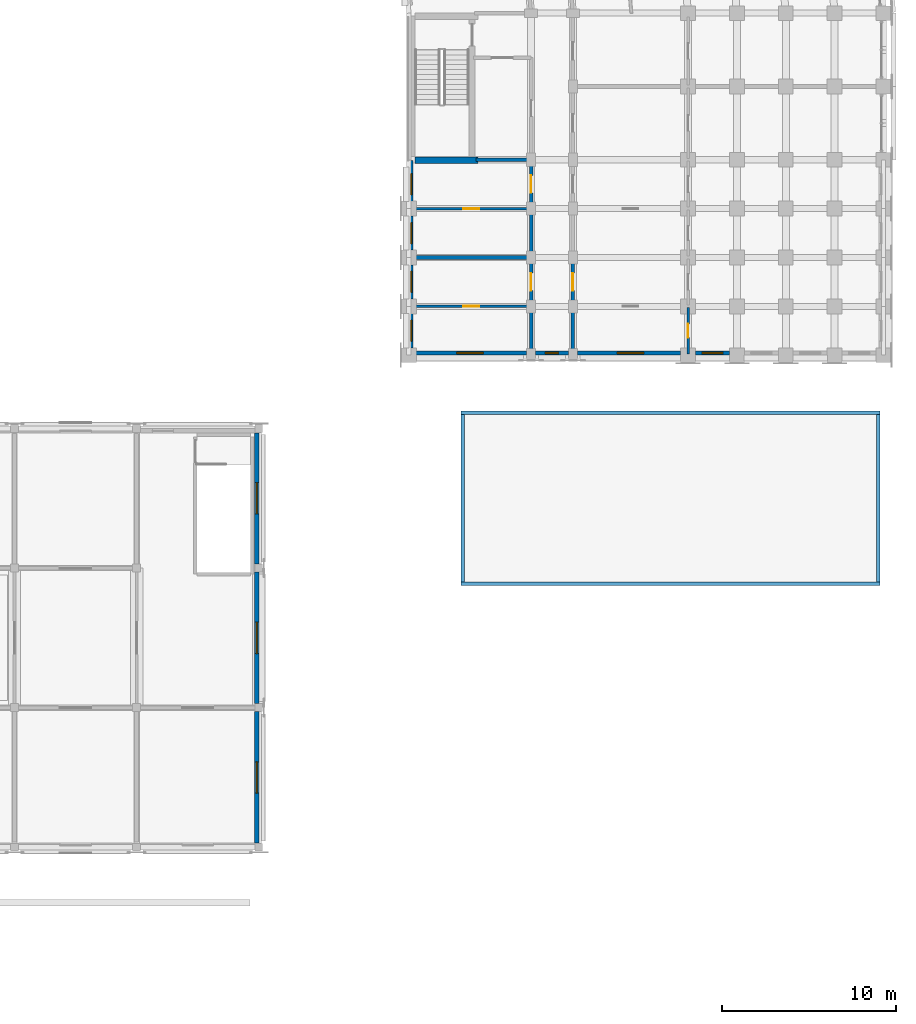
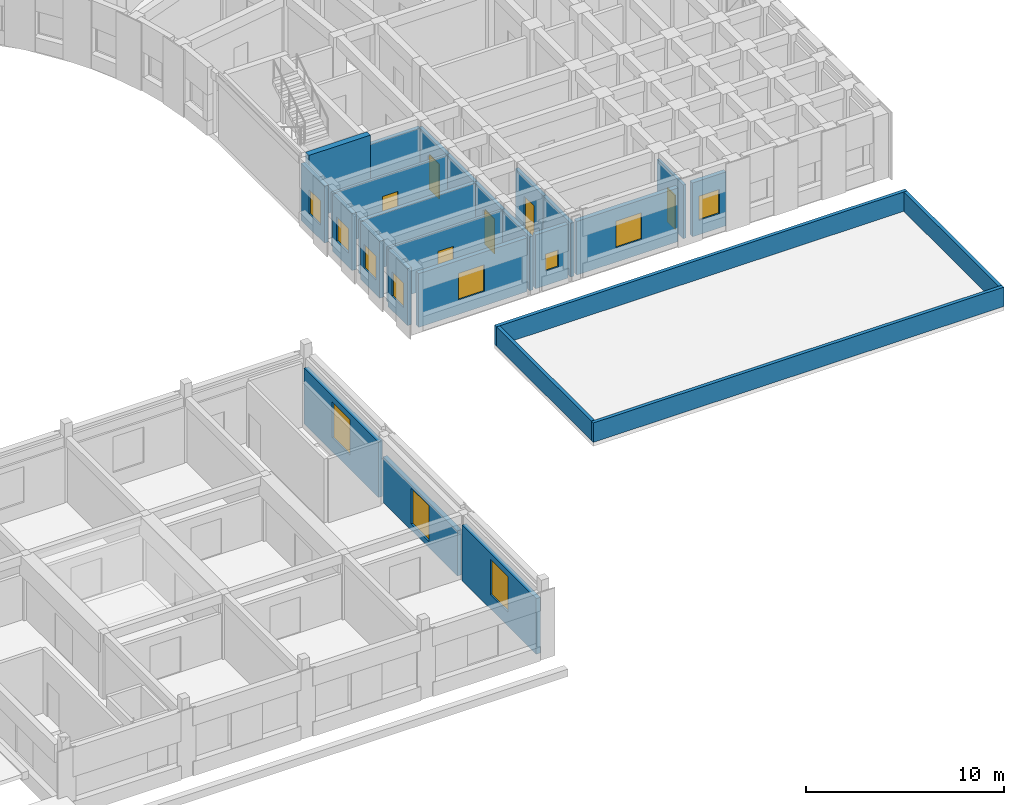
# One storey, part 75 of 97: 27 walls, 11 windows, 6 doors, 17 openings.
"""IFC4 building model written with IfcOpenShell, lengths in metres."""

import ifcopenshell
import ifcopenshell.guid

model = None  # the IFC model being written
_history = None  # IfcOwnerHistory: only IFC2X3 demands one
_inside = {}  # id of a spatial element -> (the spatial element, [elements in it])
_under = {}  # id of a project, library or spatial element -> (it, [spatial elements below it])
_declared = {}  # id of a project -> (the project, [libraries it declares])
_typed = {}  # id of a type object -> (the type object, [elements of that type])
_made_of = {}  # id of a material, layer set ... -> (it, [elements and type objects made of it])


def new_model(schema):
    """Start an empty IFC model of exactly this schema.

    Asked for "IFC4X3", IfcOpenShell would pick the latest addendum, in which some entities
    have other attributes; the version numbers below select the first issue.
    IFC2X3 requires an IfcOwnerHistory on every rooted entity: one is made here for all.
    """
    global model, _history
    if schema == "IFC4X3":
        model = ifcopenshell.file(schema_version=(4, 3, 0, 0))
    else:
        model = ifcopenshell.file(schema=schema)
    _inside.clear()
    _under.clear()
    _declared.clear()
    _typed.clear()
    _made_of.clear()
    _history = None
    if model.schema == "IFC2X3":
        org = make("IfcOrganization", Name="unknown")
        user = make(
            "IfcPersonAndOrganization",
            ThePerson=make("IfcPerson", FamilyName="unknown"),
            TheOrganization=org,
        )
        app = make(
            "IfcApplication",
            ApplicationDeveloper=org,
            Version="unknown",
            ApplicationFullName="unknown",
            ApplicationIdentifier="unknown",
        )
        _history = make(
            "IfcOwnerHistory",
            OwningUser=user,
            OwningApplication=app,
            ChangeAction="ADDED",
            CreationDate=0,
        )
    return model


def make(cls, **values):
    """One entity of the class cls with the attributes given. An attribute that is None is left unset."""
    return model.create_entity(
        cls, **{name: value for name, value in values.items() if value is not None}
    )


def rooted(cls, **values):
    """An entity with a GlobalId (a new one), such as an element, a storey or a relation."""
    return make(cls, GlobalId=ifcopenshell.guid.new(), OwnerHistory=_history, **values)


def si_unit(unit_type, name, prefix=None):
    """IfcSIUnit, for example si_unit("LENGTHUNIT", "METRE", prefix="MILLI")."""
    return make("IfcSIUnit", UnitType=unit_type, Prefix=prefix, Name=name)


def assignment(units):
    """IfcUnitAssignment: the units of a project."""
    return None if units is None else make("IfcUnitAssignment", Units=units)


def point(xyz):
    """IfcCartesianPoint."""
    return None if xyz is None else make("IfcCartesianPoint", Coordinates=xyz)


def direction(xyz):
    """IfcDirection."""
    return None if xyz is None else make("IfcDirection", DirectionRatios=xyz)


def frame(location, z_axis=None, x_axis=None):
    """IfcAxis2Placement3D, a coordinate frame: its origin and axes. An axis left out is left unset."""
    return make(
        "IfcAxis2Placement3D",
        Location=point(location),
        Axis=direction(z_axis),
        RefDirection=direction(x_axis),
    )


def frame_2d(location, x_axis=None):
    """IfcAxis2Placement2D, a coordinate frame in the plane: its origin and x axis."""
    return make(
        "IfcAxis2Placement2D", Location=point(location), RefDirection=direction(x_axis)
    )


def origin():
    """The frame at (0, 0, 0) with its axes left unset."""
    return frame((0.0, 0.0, 0.0))


def place(relative_to, where):
    """IfcLocalPlacement: puts the frame where relative to a parent placement (None: the world)."""
    return make(
        "IfcLocalPlacement", PlacementRelTo=relative_to, RelativePlacement=where
    )


def context(
    kind, dimensions, precision=None, world=None, true_north=None, identifier=None
):
    """IfcGeometricRepresentationContext, for example the 3D "Model" context."""
    return make(
        "IfcGeometricRepresentationContext",
        ContextIdentifier=identifier,
        ContextType=kind,
        CoordinateSpaceDimension=dimensions,
        Precision=precision,
        WorldCoordinateSystem=world,
        TrueNorth=true_north,
    )


def subcontext(parent, identifier, kind, view, scale=None):
    """IfcGeometricRepresentationSubContext, for example "Body" below "Model"."""
    return make(
        "IfcGeometricRepresentationSubContext",
        ContextIdentifier=identifier,
        ContextType=kind,
        ParentContext=parent,
        TargetScale=scale,
        TargetView=view,
    )


def project(units=None, contexts=None):
    """IfcProject with its units and contexts."""
    return rooted(
        "IfcProject",
        Name="project",
        RepresentationContexts=contexts,
        UnitsInContext=assignment(units),
    )


def spatial(cls, under=None, at=None, **own):
    """A site, building, storey or space (cls), placed at a placement, below another one or the project."""
    s = rooted(cls, ObjectPlacement=at, **own)
    if under is not None:
        _under.setdefault(under.id(), (under, []))[1].append(s)
    return s


def profile(cls, at=None, kind="AREA", **sizes):
    """A parametric profile (cls). Its sizes go by their IFC names, for example OverallWidth=200.0."""
    return make(cls, ProfileType=kind, Position=at, **sizes)


def rectangle(**sizes):
    """IfcRectangleProfileDef."""
    return profile("IfcRectangleProfileDef", **sizes)


def extrude(swept, where, along, depth):
    """IfcExtrudedAreaSolid: the profile swept, set in the frame where, extruded along a direction by depth."""
    return make(
        "IfcExtrudedAreaSolid",
        SweptArea=swept,
        Position=where,
        ExtrudedDirection=direction(along),
        Depth=depth,
    )


def shape(context_of_items, identifier, shape_type, items):
    """IfcShapeRepresentation: the items that make up one representation, for example the "Body"."""
    return make(
        "IfcShapeRepresentation",
        ContextOfItems=context_of_items,
        RepresentationIdentifier=identifier,
        RepresentationType=shape_type,
        Items=items,
    )


def material(Name=None, Category=None):
    """IfcMaterial."""
    return make("IfcMaterial", Name=Name, Category=Category)


def layer(
    of_material, thickness, ventilated=None, Name=None, Category=None, Priority=None
):
    """IfcMaterialLayer: one layer of a wall or slab, of a material (None: an air gap)."""
    return make(
        "IfcMaterialLayer",
        Material=of_material,
        LayerThickness=thickness,
        IsVentilated=ventilated,
        Name=Name,
        Category=Category,
        Priority=Priority,
    )


def layer_set(layers, Name=None):
    """IfcMaterialLayerSet."""
    return make("IfcMaterialLayerSet", MaterialLayers=layers, LayerSetName=Name)


def made_of(thing, what):
    """Note that an element or type object is made of a material, layer set ...; save() writes the relation."""
    if what is not None:
        _made_of.setdefault(what.id(), (what, []))[1].append(thing)
    return thing


def type_object(cls, material=None, **own):
    """A type object (cls), such as IfcWallType, which elements share."""
    return made_of(rooted(cls, **own), material)


def element(
    cls,
    number,
    at=None,
    inside=None,
    cuts=None,
    type_object=None,
    material=None,
    context=None,
    identifier="Body",
    shape_type=None,
    held_by="IfcProductDefinitionShape",
    body=None,
    shapes=None,
    **own,
):
    """One element of the class cls, such as IfcWall. Its Tag is "e" and its number.

    at: its placement. inside: the storey or other place that contains it. cuts: it is an
    opening in that element (IfcRelVoidsElement). A single representation is given by context,
    identifier, shape_type and body (its items); several are given by shapes. held_by: the class
    of the entity that holds the representations. save() writes the other relations.
    """
    e = rooted(cls, Tag="e%d" % number, ObjectPlacement=at, **own)
    if body is not None:
        shapes = [shape(context, identifier, shape_type, body)]
    if shapes is not None:
        e.Representation = make(held_by, Representations=shapes)
    if inside is not None:
        _inside.setdefault(inside.id(), (inside, []))[1].append(e)
    if cuts is not None:
        rooted(
            "IfcRelVoidsElement", RelatingBuildingElement=cuts, RelatedOpeningElement=e
        )
    if type_object is not None:
        _typed.setdefault(type_object.id(), (type_object, []))[1].append(e)
    return made_of(e, material)


def fill(opening, filler):
    """IfcRelFillsElement: the door or window that sits in an opening."""
    return rooted(
        "IfcRelFillsElement",
        RelatingOpeningElement=opening,
        RelatedBuildingElement=filler,
    )


def aggregate(whole, parts):
    """IfcRelAggregates: a whole, such as a stair, and the parts it consists of."""
    return rooted("IfcRelAggregates", RelatingObject=whole, RelatedObjects=parts)


def save(model, path):
    """Write the relations noted so far, then the file.

    IfcRelAggregates (storeys below a building ...), IfcRelContainedInSpatialStructure (elements
    in a storey), IfcRelDefinesByType, IfcRelAssociatesMaterial and IfcRelDeclares: one each for
    every whole, place, type object, material and project.
    """
    for whole, parts in _under.values():
        aggregate(whole, parts)
    for where, things in _inside.values():
        rooted(
            "IfcRelContainedInSpatialStructure",
            RelatedElements=things,
            RelatingStructure=where,
        )
    for kind, things in _typed.values():
        rooted("IfcRelDefinesByType", RelatedObjects=things, RelatingType=kind)
    for what, things in _made_of.values():
        rooted("IfcRelAssociatesMaterial", RelatedObjects=things, RelatingMaterial=what)
    for by, libraries in _declared.values():
        rooted("IfcRelDeclares", RelatingContext=by, RelatedDefinitions=libraries)
    model.write(path)


model = new_model("IFC4")

# Units and contexts
model_context = context("Model", 3, precision=1e-05, world=origin(), true_north=direction((0.0, 1.0)))
body_context = subcontext(model_context, "Body", "Model", "MODEL_VIEW")
ifc_project = project(units=[si_unit("LENGTHUNIT", "METRE"), si_unit("AREAUNIT", "SQUARE_METRE"), si_unit("VOLUMEUNIT", "CUBIC_METRE"), si_unit("PLANEANGLEUNIT", "RADIAN"), si_unit("MASSUNIT", "GRAM", prefix="KILO")], contexts=[model_context])

# Site, building, storey
site_placement = place(None, origin())
site = spatial("IfcSite", under=ifc_project, at=site_placement, CompositionType="ELEMENT")
building_placement = place(site_placement, origin())
building = spatial("IfcBuilding", under=site, at=building_placement, Name="Kiranvali Square Residences", CompositionType="ELEMENT")
storey_placement = place(building_placement, frame((0.0, 0.0, 4.5)))
storey = spatial("IfcBuildingStorey", under=building, at=storey_placement, Name="L01", CompositionType="ELEMENT", Elevation=4.5)

# Wall, opening, door
ifc_material_1 = material(Name="Autoclaved aerated concrete blockwork masonry", Category="masonry")
ifc_layer_1 = layer(ifc_material_1, 0.199951171875)
ifc_layer_set_1 = layer_set([ifc_layer_1], Name="Autoclaved aerated concrete blockwork masonry")
wall_type_1 = type_object("IfcWallType", Name="WL-COR-200", PredefinedType="STANDARD", material=ifc_layer_set_1)
wall_1_placement = place(storey_placement, frame((145.60009765625, 79.39990234375, 0.0), z_axis=(0.0, 0.0, 1.0), x_axis=(0.0, -1.0, 0.0)))
wall_1 = element("IfcWall", 1, at=wall_1_placement, inside=storey, type_object=wall_type_1, Name="L01 architectural wall WL-L01-B-A2CI-0", PredefinedType="STANDARD", context=body_context, shape_type="SweptSolid", body=[
    extrude(rectangle(XDim=2.7998046875, YDim=0.199951171875, at=frame_2d((1.39990234375, 0.0))), origin(), (0.0, 0.0, 1.0), 3.322021484375),
])
opening_1_placement = place(wall_1_placement, frame((0.89990234375, 0.0, 0.0)))
opening_1 = element("IfcOpeningElement", 2, at=opening_1_placement, cuts=wall_1, Name="Opening FD-APT-60", PredefinedType="OPENING", context=body_context, shape_type="SweptSolid", body=[
    extrude(rectangle(XDim=1.0, YDim=2.14990234375, at=frame_2d((0.5, 1.074951171875))), frame((0.0, 0.10986328125, 0.0), z_axis=(0.0, -1.0, 0.0), x_axis=(1.0, 0.0, 0.0)), (0.0, 0.0, 1.0), 0.219970703125),
])
ifc_material_2 = material(Name="Fire-rated acoustic hardwood and mineral-core door assembly", Category="wood")
door_type_1 = type_object("IfcDoorType", Name="DR-APT-1000", OperationType="NOTDEFINED", PredefinedType="DOOR", material=ifc_material_2)
door_1_placement = place(opening_1_placement, origin())
door_1 = element("IfcDoor", 3, at=door_1_placement, inside=storey, type_object=door_type_1, Name="L01 door DR-L01-1051 (DR-APT-1000)", OperationType="SINGLE_SWING_LEFT", OverallHeight=2.14990234375, OverallWidth=1.0, PredefinedType="DOOR", context=body_context, shape_type="SweptSolid", body=[
    extrude(rectangle(XDim=1.0, YDim=2.14990234375, at=frame_2d((0.5, 1.074951171875))), frame((0.0, 0.02490234375, 0.0), z_axis=(0.0, -1.0, 0.0), x_axis=(1.0, 0.0, 0.0)), (0.0, 0.0, 1.0), 0.050048828125),
])
fill(opening_1, door_1)

# Wall
wall_2_placement = place(storey_placement, frame((145.60009765625, 76.60009765625, 0.0), z_axis=(0.0, 0.0, 1.0), x_axis=(0.0, -1.0, 0.0)))
element("IfcWall", 4, at=wall_2_placement, inside=storey, type_object=wall_type_1, Name="L01 architectural wall WL-L01-B-A2CI-1", PredefinedType="STANDARD", context=body_context, shape_type="SweptSolid", body=[
    extrude(rectangle(XDim=2.800048828125, YDim=0.199951171875, at=frame_2d((1.39990234375, 0.0))), origin(), (0.0, 0.0, 1.0), 3.322021484375),
])

# Wall, opening, door
wall_3_placement = place(storey_placement, frame((145.60009765625, 73.800048828125, 0.0), z_axis=(0.0, 0.0, 1.0), x_axis=(0.0, -1.0, 0.0)))
wall_3 = element("IfcWall", 5, at=wall_3_placement, inside=storey, type_object=wall_type_1, Name="L01 architectural wall WL-L01-B-A2CI-2", PredefinedType="STANDARD", context=body_context, shape_type="SweptSolid", body=[
    extrude(rectangle(XDim=2.800048828125, YDim=0.199951171875, at=frame_2d((1.39990234375, 0.0))), origin(), (0.0, 0.0, 1.0), 3.322021484375),
])
opening_2_placement = place(wall_3_placement, frame((0.89990234375, 0.0, 0.0)))
opening_2 = element("IfcOpeningElement", 6, at=opening_2_placement, cuts=wall_3, Name="Opening FD-APT-60", PredefinedType="OPENING", context=body_context, shape_type="SweptSolid", body=[
    extrude(rectangle(XDim=1.0, YDim=2.14990234375, at=frame_2d((0.5, 1.074951171875))), frame((0.0, 0.10986328125, 0.0), z_axis=(0.0, -1.0, 0.0), x_axis=(1.0, 0.0, 0.0)), (0.0, 0.0, 1.0), 0.219970703125),
])
door_2_placement = place(opening_2_placement, origin())
door_2 = element("IfcDoor", 7, at=door_2_placement, inside=storey, type_object=door_type_1, Name="L01 door DR-L01-1057 (DR-APT-1000)", OperationType="SINGLE_SWING_LEFT", OverallHeight=2.14990234375, OverallWidth=1.0, PredefinedType="DOOR", context=body_context, shape_type="SweptSolid", body=[
    extrude(rectangle(XDim=1.0, YDim=2.14990234375, at=frame_2d((0.5, 1.074951171875))), frame((0.0, 0.02490234375, 0.0), z_axis=(0.0, -1.0, 0.0), x_axis=(1.0, 0.0, 0.0)), (0.0, 0.0, 1.0), 0.050048828125),
])
fill(opening_2, door_2)

wall_4_placement = place(storey_placement, frame((148.0, 73.800048828125, 0.0), z_axis=(0.0, 0.0, 1.0), x_axis=(0.0, -1.0, 0.0)))
wall_4 = element("IfcWall", 8, at=wall_4_placement, inside=storey, type_object=wall_type_1, Name="L01 architectural wall WL-L01-B-A2CO-2", PredefinedType="STANDARD", context=body_context, shape_type="SweptSolid", body=[
    extrude(rectangle(XDim=2.800048828125, YDim=0.199951171875, at=frame_2d((1.39990234375, 0.0))), origin(), (0.0, 0.0, 1.0), 3.322021484375),
])
opening_3_placement = place(wall_4_placement, frame((0.89990234375, 0.0, 0.0)))
opening_3 = element("IfcOpeningElement", 9, at=opening_3_placement, cuts=wall_4, Name="Opening FD-APT-60", PredefinedType="OPENING", context=body_context, shape_type="SweptSolid", body=[
    extrude(rectangle(XDim=1.0, YDim=2.14990234375, at=frame_2d((0.5, 1.074951171875))), frame((0.0, 0.10986328125, 0.0), z_axis=(0.0, -1.0, 0.0), x_axis=(1.0, 0.0, 0.0)), (0.0, 0.0, 1.0), 0.219970703125),
])
door_3_placement = place(opening_3_placement, origin())
door_3 = element("IfcDoor", 10, at=door_3_placement, inside=storey, type_object=door_type_1, Name="L01 door DR-L01-1059 (DR-APT-1000)", OperationType="SINGLE_SWING_LEFT", OverallHeight=2.14990234375, OverallWidth=1.0, PredefinedType="DOOR", context=body_context, shape_type="SweptSolid", body=[
    extrude(rectangle(XDim=1.0, YDim=2.14990234375, at=frame_2d((0.5, 1.074951171875))), frame((0.0, 0.02490234375, 0.0), z_axis=(0.0, -1.0, 0.0), x_axis=(1.0, 0.0, 0.0)), (0.0, 0.0, 1.0), 0.050048828125),
])
fill(opening_3, door_3)

# Walls
for number, where, z_axis, x_axis, name in (
    (11, (145.60009765625, 71.0, 0.0), (0.0, 0.0, 1.0), (0.0, -1.0, 0.0), "L01 architectural wall WL-L01-B-A2CI-3"),
    (12, (148.0, 71.0, 0.0), (0.0, 0.0, 1.0), (0.0, -1.0, 0.0), "L01 architectural wall WL-L01-B-A2CO-3"),
):
    element("IfcWall", number, at=place(storey_placement, frame(where, z_axis=z_axis, x_axis=x_axis)), inside=storey, type_object=wall_type_1, Name=name, PredefinedType="STANDARD", context=body_context, shape_type="SweptSolid", body=[
        extrude(rectangle(XDim=2.800048828125, YDim=0.199951171875, at=frame_2d((1.39990234375, 0.0))), origin(), (0.0, 0.0, 1.0), 3.322021484375),
    ])
ifc_layer_2 = layer(ifc_material_1, 0.219970703125)
ifc_layer_set_2 = layer_set([ifc_layer_2], Name="Autoclaved aerated concrete blockwork masonry")
wall_type_2 = type_object("IfcWallType", Name="WL-DEM-220", PredefinedType="STANDARD", material=ifc_layer_set_2)
wall_5_placement = place(storey_placement, frame((142.449951171875, 79.39990234375, 0.0), z_axis=(0.0, 0.0, 1.0), x_axis=(1.0, 0.0, 0.0)))
element("IfcWall", 13, at=wall_5_placement, inside=storey, type_object=wall_type_2, Name="L01 architectural wall WL-L01-B-A2TI-0", PredefinedType="STANDARD", context=body_context, shape_type="SweptSolid", body=[
    extrude(rectangle(XDim=3.10009765625, YDim=0.219970703125, at=frame_2d((1.550048828125, 0.0))), origin(), (0.0, 0.0, 1.0), 3.322021484375),
])
wall_6_placement = place(storey_placement, frame((138.800048828125, 73.800048828125, 0.0), z_axis=(0.0, 0.0, 1.0), x_axis=(1.0, 0.0, 0.0)))
element("IfcWall", 14, at=wall_6_placement, inside=storey, type_object=wall_type_2, Name="L01 architectural wall WL-L01-B-A2TI-2", PredefinedType="STANDARD", context=body_context, shape_type="SweptSolid", body=[
    extrude(rectangle(XDim=6.75, YDim=0.219970703125, at=frame_2d((3.375, 0.0))), origin(), (0.0, 0.0, 1.0), 3.322021484375),
])

# Wall, opening, window
ifc_material_3 = material(Name="Breathable lime-rendered clay brick masonry", Category="masonry")
ifc_layer_3 = layer(ifc_material_3, 0.25)
ifc_layer_set_3 = layer_set([ifc_layer_3], Name="Breathable lime-rendered clay brick masonry")
wall_type_3 = type_object("IfcWallType", Name="WL-EXT-250", PredefinedType="STANDARD", material=ifc_layer_set_3)
wall_7_placement = place(storey_placement, frame((138.72509765625, 79.37158203125, 0.0), z_axis=(0.0, 0.0, 1.0), x_axis=(0.0, -1.0, 0.0)))
wall_7 = element("IfcWall", 15, at=wall_7_placement, inside=storey, type_object=wall_type_3, Name="L01 exterior wall B-L01-A2I-0", PredefinedType="STANDARD", context=body_context, shape_type="SweptSolid", body=[
    extrude(rectangle(XDim=2.3515625, YDim=0.25, at=frame_2d((1.17578125, 0.0))), origin(), (0.0, 0.0, 1.0), 3.52197265625),
])
opening_4_placement = place(wall_7_placement, frame((0.771484375, 0.0, 0.8798828125)))
opening_4 = element("IfcOpeningElement", 16, at=opening_4_placement, cuts=wall_7, Name="Opening W-06", PredefinedType="OPENING", context=body_context, shape_type="SweptSolid", body=[
    extrude(rectangle(XDim=1.199951171875, YDim=1.5, at=frame_2d((0.60009765625, 0.75))), frame((0.0, 0.135009765625, 0.0), z_axis=(0.0, -1.0, 0.0), x_axis=(1.0, 0.0, 0.0)), (0.0, 0.0, 1.0), 0.27001953125),
])
ifc_material_4 = material(Name="Solar-control low-e double glazing", Category="glass")
window_type_1 = type_object("IfcWindowType", Name="WIN-RES-1200x1500", PartitioningType="SINGLE_PANEL", PredefinedType="WINDOW", material=ifc_material_4)
window_1_placement = place(opening_4_placement, origin())
window_1 = element("IfcWindow", 17, at=window_1_placement, inside=storey, type_object=window_type_1, Name="L01 recessed window B-L01-A2I-0", OverallHeight=1.5, OverallWidth=1.199951171875, PartitioningType="SINGLE_PANEL", PredefinedType="WINDOW", context=body_context, shape_type="SweptSolid", body=[
    extrude(rectangle(XDim=1.199951171875, YDim=1.5, at=frame_2d((0.60009765625, 0.75))), frame((0.0, 0.030029296875, 0.0), z_axis=(0.0, -1.0, 0.0), x_axis=(1.0, 0.0, 0.0)), (0.0, 0.0, 1.0), 0.06005859375),
])
fill(opening_4, window_1)

wall_8_placement = place(storey_placement, frame((138.72509765625, 76.179931640625, 0.0), z_axis=(0.0, 0.0, 1.0), x_axis=(0.0, -1.0, 0.0)))
wall_8 = element("IfcWall", 18, at=wall_8_placement, inside=storey, type_object=wall_type_3, Name="L01 exterior wall B-L01-A2I-1", PredefinedType="STANDARD", context=body_context, shape_type="SweptSolid", body=[
    extrude(rectangle(XDim=1.9599609375, YDim=0.25, at=frame_2d((0.97998046875, 0.0))), origin(), (0.0, 0.0, 1.0), 3.52197265625),
])
opening_5_placement = place(wall_8_placement, frame((0.3798828125, 0.0, 0.8798828125)))
opening_5 = element("IfcOpeningElement", 19, at=opening_5_placement, cuts=wall_8, Name="Opening W-06", PredefinedType="OPENING", context=body_context, shape_type="SweptSolid", body=[
    extrude(rectangle(XDim=1.199951171875, YDim=1.5, at=frame_2d((0.60009765625, 0.75))), frame((0.0, 0.135009765625, 0.0), z_axis=(0.0, -1.0, 0.0), x_axis=(1.0, 0.0, 0.0)), (0.0, 0.0, 1.0), 0.27001953125),
])
window_2_placement = place(opening_5_placement, origin())
window_2 = element("IfcWindow", 20, at=window_2_placement, inside=storey, type_object=window_type_1, Name="L01 recessed window B-L01-A2I-1", OverallHeight=1.5, OverallWidth=1.199951171875, PartitioningType="SINGLE_PANEL", PredefinedType="WINDOW", context=body_context, shape_type="SweptSolid", body=[
    extrude(rectangle(XDim=1.199951171875, YDim=1.5, at=frame_2d((0.60009765625, 0.75))), frame((0.0, 0.030029296875, 0.0), z_axis=(0.0, -1.0, 0.0), x_axis=(1.0, 0.0, 0.0)), (0.0, 0.0, 1.0), 0.06005859375),
])
fill(opening_5, window_2)

wall_9_placement = place(storey_placement, frame((138.72509765625, 73.3798828125, 0.0), z_axis=(0.0, 0.0, 1.0), x_axis=(0.0, -1.0, 0.0)))
wall_9 = element("IfcWall", 21, at=wall_9_placement, inside=storey, type_object=wall_type_3, Name="L01 exterior wall B-L01-A2I-2", PredefinedType="STANDARD", context=body_context, shape_type="SweptSolid", body=[
    extrude(rectangle(XDim=1.9599609375, YDim=0.25, at=frame_2d((0.97998046875, 0.0))), origin(), (0.0, 0.0, 1.0), 3.52197265625),
])
opening_6_placement = place(wall_9_placement, frame((0.3798828125, 0.0, 0.8798828125)))
opening_6 = element("IfcOpeningElement", 22, at=opening_6_placement, cuts=wall_9, Name="Opening W-06", PredefinedType="OPENING", context=body_context, shape_type="SweptSolid", body=[
    extrude(rectangle(XDim=1.199951171875, YDim=1.5, at=frame_2d((0.60009765625, 0.75))), frame((0.0, 0.135009765625, 0.0), z_axis=(0.0, -1.0, 0.0), x_axis=(1.0, 0.0, 0.0)), (0.0, 0.0, 1.0), 0.27001953125),
])
window_3_placement = place(opening_6_placement, origin())
window_3 = element("IfcWindow", 23, at=window_3_placement, inside=storey, type_object=window_type_1, Name="L01 recessed window B-L01-A2I-2", OverallHeight=1.5, OverallWidth=1.199951171875, PartitioningType="SINGLE_PANEL", PredefinedType="WINDOW", context=body_context, shape_type="SweptSolid", body=[
    extrude(rectangle(XDim=1.199951171875, YDim=1.5, at=frame_2d((0.60009765625, 0.75))), frame((0.0, 0.030029296875, 0.0), z_axis=(0.0, -1.0, 0.0), x_axis=(1.0, 0.0, 0.0)), (0.0, 0.0, 1.0), 0.06005859375),
])
fill(opening_6, window_3)

wall_10_placement = place(storey_placement, frame((138.72509765625, 70.580078125, 0.0), z_axis=(0.0, 0.0, 1.0), x_axis=(0.0, -1.0, 0.0)))
wall_10 = element("IfcWall", 24, at=wall_10_placement, inside=storey, type_object=wall_type_3, Name="L01 exterior wall B-L01-A2I-3", PredefinedType="STANDARD", context=body_context, shape_type="SweptSolid", body=[
    extrude(rectangle(XDim=1.9599609375, YDim=0.25, at=frame_2d((0.97998046875, 0.0))), origin(), (0.0, 0.0, 1.0), 3.52197265625),
])
opening_7_placement = place(wall_10_placement, frame((0.3798828125, 0.0, 0.8798828125)))
opening_7 = element("IfcOpeningElement", 25, at=opening_7_placement, cuts=wall_10, Name="Opening W-06", PredefinedType="OPENING", context=body_context, shape_type="SweptSolid", body=[
    extrude(rectangle(XDim=1.199951171875, YDim=1.5, at=frame_2d((0.60009765625, 0.75))), frame((0.0, 0.135009765625, 0.0), z_axis=(0.0, -1.0, 0.0), x_axis=(1.0, 0.0, 0.0)), (0.0, 0.0, 1.0), 0.27001953125),
])
window_4_placement = place(opening_7_placement, origin())
window_4 = element("IfcWindow", 26, at=window_4_placement, inside=storey, type_object=window_type_1, Name="L01 recessed window B-L01-A2I-3", OverallHeight=1.5, OverallWidth=1.199951171875, PartitioningType="SINGLE_PANEL", PredefinedType="WINDOW", context=body_context, shape_type="SweptSolid", body=[
    extrude(rectangle(XDim=1.199951171875, YDim=1.5, at=frame_2d((0.60009765625, 0.75))), frame((0.0, 0.030029296875, 0.0), z_axis=(0.0, -1.0, 0.0), x_axis=(1.0, 0.0, 0.0)), (0.0, 0.0, 1.0), 0.06005859375),
])
fill(opening_7, window_4)

wall_11_placement = place(storey_placement, frame((139.02001953125, 68.324951171875, 0.0), z_axis=(0.0, 0.0, 1.0), x_axis=(1.0, 0.0, 0.0)))
wall_11 = element("IfcWall", 27, at=wall_11_placement, inside=storey, type_object=wall_type_3, Name="L01 exterior wall B-L01-A2END-0", PredefinedType="STANDARD", context=body_context, shape_type="SweptSolid", body=[
    extrude(rectangle(XDim=6.326416015625, YDim=0.25, at=frame_2d((3.1630859375, 0.0))), origin(), (0.0, 0.0, 1.0), 3.322021484375),
])
opening_8_placement = place(wall_11_placement, frame((2.330078125, 0.0, 0.8798828125)))
opening_8 = element("IfcOpeningElement", 28, at=opening_8_placement, cuts=wall_11, Name="Opening W-05", PredefinedType="OPENING", context=body_context, shape_type="SweptSolid", body=[
    extrude(rectangle(XDim=1.5, YDim=1.64990234375, at=frame_2d((0.75, 0.824951171875))), frame((0.0, 0.135009765625, 0.0), z_axis=(0.0, -1.0, 0.0), x_axis=(1.0, 0.0, 0.0)), (0.0, 0.0, 1.0), 0.27001953125),
])
window_type_2 = type_object("IfcWindowType", Name="WIN-RES-1500x1650", PartitioningType="DOUBLE_PANEL_VERTICAL", PredefinedType="WINDOW", material=ifc_material_4)
window_5_placement = place(opening_8_placement, origin())
window_5 = element("IfcWindow", 29, at=window_5_placement, inside=storey, type_object=window_type_2, Name="L01 recessed window B-L01-A2END-0", OverallHeight=1.64990234375, OverallWidth=1.5, PartitioningType="DOUBLE_PANEL_VERTICAL", PredefinedType="WINDOW", context=body_context, shape_type="SweptSolid", body=[
    extrude(rectangle(XDim=1.5, YDim=1.64990234375, at=frame_2d((0.75, 0.824951171875))), frame((0.0, 0.030029296875, 0.0), z_axis=(0.0, -1.0, 0.0), x_axis=(1.0, 0.0, 0.0)), (0.0, 0.0, 1.0), 0.06005859375),
])
fill(opening_8, window_5)

wall_12_placement = place(storey_placement, frame((145.853515625, 68.324951171875, 0.0), z_axis=(0.0, 0.0, 1.0), x_axis=(1.0, 0.0, 0.0)))
wall_12 = element("IfcWall", 30, at=wall_12_placement, inside=storey, type_object=wall_type_3, Name="L01 exterior wall B-L01-A2END-1", PredefinedType="STANDARD", context=body_context, shape_type="SweptSolid", body=[
    extrude(rectangle(XDim=1.89306640625, YDim=0.25, at=frame_2d((0.946533203125, 0.0))), origin(), (0.0, 0.0, 1.0), 3.322021484375),
])
opening_9_placement = place(wall_12_placement, frame((0.571533203125, 0.0, 0.8798828125)))
opening_9 = element("IfcOpeningElement", 31, at=opening_9_placement, cuts=wall_12, Name="Opening W-07", PredefinedType="OPENING", context=body_context, shape_type="SweptSolid", body=[
    extrude(rectangle(XDim=0.75, YDim=1.050048828125, at=frame_2d((0.375, 0.52490234375))), frame((0.0, 0.135009765625, 0.0), z_axis=(0.0, -1.0, 0.0), x_axis=(1.0, 0.0, 0.0)), (0.0, 0.0, 1.0), 0.27001953125),
])
window_type_3 = type_object("IfcWindowType", Name="WIN-WET-750x1050", PartitioningType="SINGLE_PANEL", PredefinedType="WINDOW", material=ifc_material_4)
window_6_placement = place(opening_9_placement, origin())
window_6 = element("IfcWindow", 32, at=window_6_placement, inside=storey, type_object=window_type_3, Name="L01 recessed window B-L01-A2END-1", OverallHeight=1.050048828125, OverallWidth=0.75, PartitioningType="SINGLE_PANEL", PredefinedType="WINDOW", context=body_context, shape_type="SweptSolid", body=[
    extrude(rectangle(XDim=0.75, YDim=1.050048828125, at=frame_2d((0.375, 0.52490234375))), frame((0.0, 0.030029296875, 0.0), z_axis=(0.0, -1.0, 0.0), x_axis=(1.0, 0.0, 0.0)), (0.0, 0.0, 1.0), 0.06005859375),
])
fill(opening_9, window_6)

wall_13_placement = place(storey_placement, frame((148.25341796875, 68.324951171875, 0.0), z_axis=(0.0, 0.0, 1.0), x_axis=(1.0, 0.0, 0.0)))
wall_13 = element("IfcWall", 33, at=wall_13_placement, inside=storey, type_object=wall_type_3, Name="L01 exterior wall B-L01-A2END-2", PredefinedType="STANDARD", context=body_context, shape_type="SweptSolid", body=[
    extrude(rectangle(XDim=5.926513671875, YDim=0.25, at=frame_2d((2.96337890625, 0.0))), origin(), (0.0, 0.0, 1.0), 3.322021484375),
])
opening_10_placement = place(wall_13_placement, frame((2.29638671875, 0.0, 0.8798828125)))
opening_10 = element("IfcOpeningElement", 34, at=opening_10_placement, cuts=wall_13, Name="Opening W-05", PredefinedType="OPENING", context=body_context, shape_type="SweptSolid", body=[
    extrude(rectangle(XDim=1.5, YDim=1.64990234375, at=frame_2d((0.75, 0.824951171875))), frame((0.0, 0.135009765625, 0.0), z_axis=(0.0, -1.0, 0.0), x_axis=(1.0, 0.0, 0.0)), (0.0, 0.0, 1.0), 0.27001953125),
])
window_7_placement = place(opening_10_placement, origin())
window_7 = element("IfcWindow", 35, at=window_7_placement, inside=storey, type_object=window_type_2, Name="L01 recessed window B-L01-A2END-2", OverallHeight=1.64990234375, OverallWidth=1.5, PartitioningType="DOUBLE_PANEL_VERTICAL", PredefinedType="WINDOW", context=body_context, shape_type="SweptSolid", body=[
    extrude(rectangle(XDim=1.5, YDim=1.64990234375, at=frame_2d((0.75, 0.824951171875))), frame((0.0, 0.030029296875, 0.0), z_axis=(0.0, -1.0, 0.0), x_axis=(1.0, 0.0, 0.0)), (0.0, 0.0, 1.0), 0.06005859375),
])
fill(opening_10, window_7)

wall_14_placement = place(storey_placement, frame((155.02001953125, 68.324951171875, 0.0), z_axis=(0.0, 0.0, 1.0), x_axis=(1.0, 0.0, 0.0)))
wall_14 = element("IfcWall", 36, at=wall_14_placement, inside=storey, type_object=wall_type_3, Name="L01 exterior wall B-L01-A2END-3", PredefinedType="STANDARD", context=body_context, shape_type="SweptSolid", body=[
    extrude(rectangle(XDim=1.9599609375, YDim=0.25, at=frame_2d((0.97998046875, 0.0))), origin(), (0.0, 0.0, 1.0), 3.322021484375),
])
opening_11_placement = place(wall_14_placement, frame((0.3798828125, 0.0, 0.8798828125)))
opening_11 = element("IfcOpeningElement", 37, at=opening_11_placement, cuts=wall_14, Name="Opening W-06", PredefinedType="OPENING", context=body_context, shape_type="SweptSolid", body=[
    extrude(rectangle(XDim=1.199951171875, YDim=1.5, at=frame_2d((0.60009765625, 0.75))), frame((0.0, 0.135009765625, 0.0), z_axis=(0.0, -1.0, 0.0), x_axis=(1.0, 0.0, 0.0)), (0.0, 0.0, 1.0), 0.27001953125),
])
window_8_placement = place(opening_11_placement, origin())
window_8 = element("IfcWindow", 38, at=window_8_placement, inside=storey, type_object=window_type_1, Name="L01 recessed window B-L01-A2END-3", OverallHeight=1.5, OverallWidth=1.199951171875, PartitioningType="SINGLE_PANEL", PredefinedType="WINDOW", context=body_context, shape_type="SweptSolid", body=[
    extrude(rectangle(XDim=1.199951171875, YDim=1.5, at=frame_2d((0.60009765625, 0.75))), frame((0.0, 0.030029296875, 0.0), z_axis=(0.0, -1.0, 0.0), x_axis=(1.0, 0.0, 0.0)), (0.0, 0.0, 1.0), 0.06005859375),
])
fill(opening_11, window_8)

wall_15_placement = place(storey_placement, frame((129.875, 40.2529296875, 0.0), z_axis=(0.0, 0.0, 1.0), x_axis=(0.0, 1.0, 0.0)))
wall_15 = element("IfcWall", 39, at=wall_15_placement, inside=storey, type_object=wall_type_3, Name="L01 exterior wall RT-L01-E-0", PredefinedType="STANDARD", context=body_context, shape_type="SweptSolid", body=[
    extrude(rectangle(XDim=7.5185546875, YDim=0.25, at=frame_2d((3.75927734375, 0.0))), origin(), (0.0, 0.0, 1.0), 3.44189453125),
])
opening_12_placement = place(wall_15_placement, frame((2.846923828125, 0.0, 0.8798828125)))
opening_12 = element("IfcOpeningElement", 40, at=opening_12_placement, cuts=wall_15, Name="Opening W-01", PredefinedType="OPENING", context=body_context, shape_type="SweptSolid", body=[
    extrude(rectangle(XDim=1.800048828125, YDim=2.199951171875, at=frame_2d((0.89990234375, 1.10009765625))), frame((0.0, 0.135009765625, 0.0), z_axis=(0.0, -1.0, 0.0), x_axis=(1.0, 0.0, 0.0)), (0.0, 0.0, 1.0), 0.27001953125),
])
window_type_4 = type_object("IfcWindowType", Name="WIN-ARCH-1800x2200", PartitioningType="DOUBLE_PANEL_VERTICAL", PredefinedType="WINDOW", material=ifc_material_4)
window_9_placement = place(opening_12_placement, origin())
window_9 = element("IfcWindow", 41, at=window_9_placement, inside=storey, type_object=window_type_4, Name="L01 recessed window RT-L01-E-0", OverallHeight=2.199951171875, OverallWidth=1.800048828125, PartitioningType="DOUBLE_PANEL_VERTICAL", PredefinedType="WINDOW", context=body_context, shape_type="SweptSolid", body=[
    extrude(rectangle(XDim=1.800048828125, YDim=2.199951171875, at=frame_2d((0.89990234375, 1.10009765625))), frame((0.0, 0.030029296875, 0.0), z_axis=(0.0, -1.0, 0.0), x_axis=(1.0, 0.0, 0.0)), (0.0, 0.0, 1.0), 0.06005859375),
])
fill(opening_12, window_9)

wall_16_placement = place(storey_placement, frame((129.875, 48.228515625, 0.0), z_axis=(0.0, 0.0, 1.0), x_axis=(0.0, 1.0, 0.0)))
wall_16 = element("IfcWall", 42, at=wall_16_placement, inside=storey, type_object=wall_type_3, Name="L01 exterior wall RT-L01-E-1", PredefinedType="STANDARD", context=body_context, shape_type="SweptSolid", body=[
    extrude(rectangle(XDim=7.54296875, YDim=0.25, at=frame_2d((3.771484375, 0.0))), origin(), (0.0, 0.0, 1.0), 2.7919921875),
])
opening_13_placement = place(wall_16_placement, frame((2.87158203125, 0.0, 0.39208984375)))
opening_13 = element("IfcOpeningElement", 43, at=opening_13_placement, cuts=wall_16, Name="Opening W-01", PredefinedType="OPENING", context=body_context, shape_type="SweptSolid", body=[
    extrude(rectangle(XDim=1.800048828125, YDim=2.199951171875, at=frame_2d((0.89990234375, 1.10009765625))), frame((0.0, 0.135009765625, 0.0), z_axis=(0.0, -1.0, 0.0), x_axis=(1.0, 0.0, 0.0)), (0.0, 0.0, 1.0), 0.27001953125),
])
window_10_placement = place(opening_13_placement, origin())
window_10 = element("IfcWindow", 44, at=window_10_placement, inside=storey, type_object=window_type_4, Name="L01 recessed window RT-L01-E-1", OverallHeight=2.199951171875, OverallWidth=1.800048828125, PartitioningType="DOUBLE_PANEL_VERTICAL", PredefinedType="WINDOW", context=body_context, shape_type="SweptSolid", body=[
    extrude(rectangle(XDim=1.800048828125, YDim=2.199951171875, at=frame_2d((0.89990234375, 1.10009765625))), frame((0.0, 0.030029296875, 0.0), z_axis=(0.0, -1.0, 0.0), x_axis=(1.0, 0.0, 0.0)), (0.0, 0.0, 1.0), 0.06005859375),
])
fill(opening_13, window_10)

wall_17_placement = place(storey_placement, frame((129.875, 56.228515625, 0.0), z_axis=(0.0, 0.0, 1.0), x_axis=(0.0, 1.0, 0.0)))
wall_17 = element("IfcWall", 45, at=wall_17_placement, inside=storey, type_object=wall_type_3, Name="L01 exterior wall RT-L01-E-2", PredefinedType="STANDARD", context=body_context, shape_type="SweptSolid", body=[
    extrude(rectangle(XDim=7.5185546875, YDim=0.25, at=frame_2d((3.75927734375, 0.0))), origin(), (0.0, 0.0, 1.0), 3.44189453125),
])
opening_14_placement = place(wall_17_placement, frame((2.87158203125, 0.0, 0.8798828125)))
opening_14 = element("IfcOpeningElement", 46, at=opening_14_placement, cuts=wall_17, Name="Opening W-01", PredefinedType="OPENING", context=body_context, shape_type="SweptSolid", body=[
    extrude(rectangle(XDim=1.800048828125, YDim=2.199951171875, at=frame_2d((0.89990234375, 1.10009765625))), frame((0.0, 0.135009765625, 0.0), z_axis=(0.0, -1.0, 0.0), x_axis=(1.0, 0.0, 0.0)), (0.0, 0.0, 1.0), 0.27001953125),
])
window_11_placement = place(opening_14_placement, origin())
window_11 = element("IfcWindow", 47, at=window_11_placement, inside=storey, type_object=window_type_4, Name="L01 recessed window RT-L01-E-2", OverallHeight=2.199951171875, OverallWidth=1.800048828125, PartitioningType="DOUBLE_PANEL_VERTICAL", PredefinedType="WINDOW", context=body_context, shape_type="SweptSolid", body=[
    extrude(rectangle(XDim=1.800048828125, YDim=2.199951171875, at=frame_2d((0.89990234375, 1.10009765625))), frame((0.0, 0.030029296875, 0.0), z_axis=(0.0, -1.0, 0.0), x_axis=(1.0, 0.0, 0.0)), (0.0, 0.0, 1.0), 0.06005859375),
])
fill(opening_14, window_11)

# Walls
ifc_material_5 = material(Name="Porbandar limestone coping and lime-rendered brick masonry", Category="masonry")
ifc_layer_4 = layer(ifc_material_5, 0.199951171875)
ifc_layer_set_4 = layer_set([ifc_layer_4], Name="Porbandar limestone coping and lime-rendered brick masonry")
wall_type_4 = type_object("IfcWallType", Name="WL-PAR-200", PredefinedType="PARAPET", material=ifc_layer_set_4)
for number, where, z_axis, x_axis, name in (
    (48, (141.60009765625, 55.10009765625, 0.0), (0.0, 0.0, 1.0), (1.0, 0.0, 0.0), "East Street Ramp and Arcade Portal roof parapet wall S"),
    (49, (141.60009765625, 64.89990234375, 0.0), (0.0, 0.0, 1.0), (1.0, 0.0, 0.0), "East Street Ramp and Arcade Portal roof parapet wall N"),
):
    element("IfcWall", number, at=place(storey_placement, frame(where, z_axis=z_axis, x_axis=x_axis)), inside=storey, type_object=wall_type_4, Name=name, PredefinedType="PARAPET", context=body_context, shape_type="SweptSolid", body=[
        extrude(rectangle(XDim=24.0, YDim=0.199951171875, at=frame_2d((12.0, 0.0))), origin(), (0.0, 0.0, 1.0), 1.199951171875),
    ])
for number, where, z_axis, x_axis, name in (
    (50, (141.699951171875, 55.2041015625, 0.0), (0.0, 0.0, 1.0), (0.0, 1.0, 0.0), "East Street Ramp and Arcade Portal roof parapet wall W"),
    (51, (165.5, 55.2041015625, 0.0), (0.0, 0.0, 1.0), (0.0, 1.0, 0.0), "East Street Ramp and Arcade Portal roof parapet wall E"),
):
    element("IfcWall", number, at=place(storey_placement, frame(where, z_axis=z_axis, x_axis=x_axis)), inside=storey, type_object=wall_type_4, Name=name, PredefinedType="PARAPET", context=body_context, shape_type="SweptSolid", body=[
        extrude(rectangle(XDim=9.591796875, YDim=0.199951171875, at=frame_2d((4.7958984375, 0.0))), origin(), (0.0, 0.0, 1.0), 1.199951171875),
    ])

# Wall, opening, door
ifc_material_6 = material(Name="Acoustic gypsum board drylined partition", Category="gypsum")
ifc_layer_5 = layer(ifc_material_6, 0.14990234375)
ifc_layer_set_5 = layer_set([ifc_layer_5], Name="Acoustic gypsum board drylined partition")
wall_type_5 = type_object("IfcWallType", Name="WL-PRT-150", PredefinedType="PARTITIONING", material=ifc_layer_set_5)
wall_18_placement = place(storey_placement, frame((138.800048828125, 76.60009765625, 0.0), z_axis=(0.0, 0.0, 1.0), x_axis=(1.0, 0.0, 0.0)))
wall_18 = element("IfcWall", 52, at=wall_18_placement, inside=storey, type_object=wall_type_5, Name="L01 architectural wall WL-L01-B-A2TI-1", PredefinedType="PARTITIONING", context=body_context, shape_type="SweptSolid", body=[
    extrude(rectangle(XDim=6.75, YDim=0.14990234375, at=frame_2d((3.375, 0.0))), origin(), (0.0, 0.0, 1.0), 3.322021484375),
])
opening_15_placement = place(wall_18_placement, frame((2.925048828125, 0.0, 0.0)))
opening_15 = element("IfcOpeningElement", 53, at=opening_15_placement, cuts=wall_18, Name="Opening ID-1", PredefinedType="OPENING", context=body_context, shape_type="SweptSolid", body=[
    extrude(rectangle(XDim=0.89990234375, YDim=2.10009765625, at=frame_2d((0.449951171875, 1.050048828125))), frame((0.0, 0.0849609375, 0.0), z_axis=(0.0, -1.0, 0.0), x_axis=(1.0, 0.0, 0.0)), (0.0, 0.0, 1.0), 0.169921875),
])
ifc_material_7 = material(Name="Solid seasoned teak hardwood joinery", Category="wood")
door_type_2 = type_object("IfcDoorType", Name="DR-INT-900", OperationType="NOTDEFINED", PredefinedType="DOOR", material=ifc_material_7)
door_4_placement = place(opening_15_placement, origin())
door_4 = element("IfcDoor", 54, at=door_4_placement, inside=storey, type_object=door_type_2, Name="L01 door DR-L01-1055 (DR-INT-900)", OperationType="SINGLE_SWING_LEFT", OverallHeight=2.10009765625, OverallWidth=0.89990234375, PredefinedType="DOOR", context=body_context, shape_type="SweptSolid", body=[
    extrude(rectangle(XDim=0.89990234375, YDim=2.10009765625, at=frame_2d((0.449951171875, 1.050048828125))), frame((0.0, 0.02490234375, 0.0), z_axis=(0.0, -1.0, 0.0), x_axis=(1.0, 0.0, 0.0)), (0.0, 0.0, 1.0), 0.050048828125),
])
fill(opening_15, door_4)

wall_19_placement = place(storey_placement, frame((138.800048828125, 71.0, 0.0), z_axis=(0.0, 0.0, 1.0), x_axis=(1.0, 0.0, 0.0)))
wall_19 = element("IfcWall", 55, at=wall_19_placement, inside=storey, type_object=wall_type_5, Name="L01 architectural wall WL-L01-B-A2TI-3", PredefinedType="PARTITIONING", context=body_context, shape_type="SweptSolid", body=[
    extrude(rectangle(XDim=6.75, YDim=0.14990234375, at=frame_2d((3.375, 0.0))), origin(), (0.0, 0.0, 1.0), 3.322021484375),
])
opening_16_placement = place(wall_19_placement, frame((2.925048828125, 0.0, 0.0)))
opening_16 = element("IfcOpeningElement", 56, at=opening_16_placement, cuts=wall_19, Name="Opening ID-1", PredefinedType="OPENING", context=body_context, shape_type="SweptSolid", body=[
    extrude(rectangle(XDim=0.89990234375, YDim=2.10009765625, at=frame_2d((0.449951171875, 1.050048828125))), frame((0.0, 0.0849609375, 0.0), z_axis=(0.0, -1.0, 0.0), x_axis=(1.0, 0.0, 0.0)), (0.0, 0.0, 1.0), 0.169921875),
])
door_5_placement = place(opening_16_placement, origin())
door_5 = element("IfcDoor", 57, at=door_5_placement, inside=storey, type_object=door_type_2, Name="L01 door DR-L01-1061 (DR-INT-900)", OperationType="SINGLE_SWING_LEFT", OverallHeight=2.10009765625, OverallWidth=0.89990234375, PredefinedType="DOOR", context=body_context, shape_type="SweptSolid", body=[
    extrude(rectangle(XDim=0.89990234375, YDim=2.10009765625, at=frame_2d((0.449951171875, 1.050048828125))), frame((0.0, 0.02490234375, 0.0), z_axis=(0.0, -1.0, 0.0), x_axis=(1.0, 0.0, 0.0)), (0.0, 0.0, 1.0), 0.050048828125),
])
fill(opening_16, door_5)

# Wall
ifc_material_8 = material(Name="Concrete M50 (50 MPa)", Category="concrete")
ifc_layer_6 = layer(ifc_material_8, 0.35009765625)
ifc_layer_set_6 = layer_set([ifc_layer_6], Name="Concrete M50 (50 MPa)")
wall_type_6 = type_object("IfcWallType", Name="WL-SHR-350", PredefinedType="SHEAR", material=ifc_layer_set_6)
wall_20_placement = place(storey_placement, frame((138.949951171875, 79.375, 0.0), z_axis=(0.0, 0.0, 1.0), x_axis=(1.0, 0.0, 0.0)))
element("IfcWall", 58, at=wall_20_placement, inside=storey, type_object=wall_type_6, Name="Block B core shear wall SW-B3-FAR-L01", PredefinedType="SHEAR", context=body_context, shape_type="SweptSolid", body=[
    extrude(rectangle(XDim=3.60009765625, YDim=0.35009765625, at=frame_2d((1.800048828125, 0.0))), origin(), (0.0, 0.0, 1.0), 3.97998046875),
])

# Wall, opening, door
ifc_layer_7 = layer(ifc_material_1, 0.14990234375)
ifc_layer_set_7 = layer_set([ifc_layer_7], Name="Autoclaved aerated concrete blockwork masonry")
wall_type_7 = type_object("IfcWallType", Name="WL-WET-150", PredefinedType="PLUMBINGWALL", material=ifc_layer_set_7)
wall_21_placement = place(storey_placement, frame((154.60009765625, 70.919921875, 0.0), z_axis=(0.0, 0.0, 1.0), x_axis=(0.0, -1.0, 0.0)))
wall_21 = element("IfcWall", 59, at=wall_21_placement, inside=storey, type_object=wall_type_7, Name="L01 architectural wall WL-L01-B-A2SP-3", PredefinedType="PLUMBINGWALL", context=body_context, shape_type="SweptSolid", body=[
    extrude(rectangle(XDim=2.639892578125, YDim=0.14990234375, at=frame_2d((1.31982421875, 0.0))), origin(), (0.0, 0.0, 1.0), 3.322021484375),
])
opening_17_placement = place(wall_21_placement, frame((0.919921875, 0.0, 0.0)))
opening_17 = element("IfcOpeningElement", 60, at=opening_17_placement, cuts=wall_21, Name="Opening ID-WET", PredefinedType="OPENING", context=body_context, shape_type="SweptSolid", body=[
    extrude(rectangle(XDim=0.800048828125, YDim=2.10009765625, at=frame_2d((0.39990234375, 1.050048828125))), frame((0.0, 0.0849609375, 0.0), z_axis=(0.0, -1.0, 0.0), x_axis=(1.0, 0.0, 0.0)), (0.0, 0.0, 1.0), 0.169921875),
])
door_type_3 = type_object("IfcDoorType", Name="DR-WET-800", OperationType="NOTDEFINED", PredefinedType="DOOR", material=ifc_material_7)
door_6_placement = place(opening_17_placement, frame((0.800048828125, 0.0, 0.0), z_axis=(0.0, 0.0, 1.0), x_axis=(-1.0, 0.0, 0.0)))
door_6 = element("IfcDoor", 61, at=door_6_placement, inside=storey, type_object=door_type_3, Name="L01 door DR-L01-1060 (DR-WET-800)", OperationType="SINGLE_SWING_RIGHT", OverallHeight=2.10009765625, OverallWidth=0.800048828125, PredefinedType="DOOR", context=body_context, shape_type="SweptSolid", body=[
    extrude(rectangle(XDim=0.800048828125, YDim=2.10009765625, at=frame_2d((0.39990234375, 1.050048828125))), frame((0.0, 0.02490234375, 0.0), z_axis=(0.0, -1.0, 0.0), x_axis=(1.0, 0.0, 0.0)), (0.0, 0.0, 1.0), 0.050048828125),
])
fill(opening_17, door_6)

save(model, "model.ifc")
